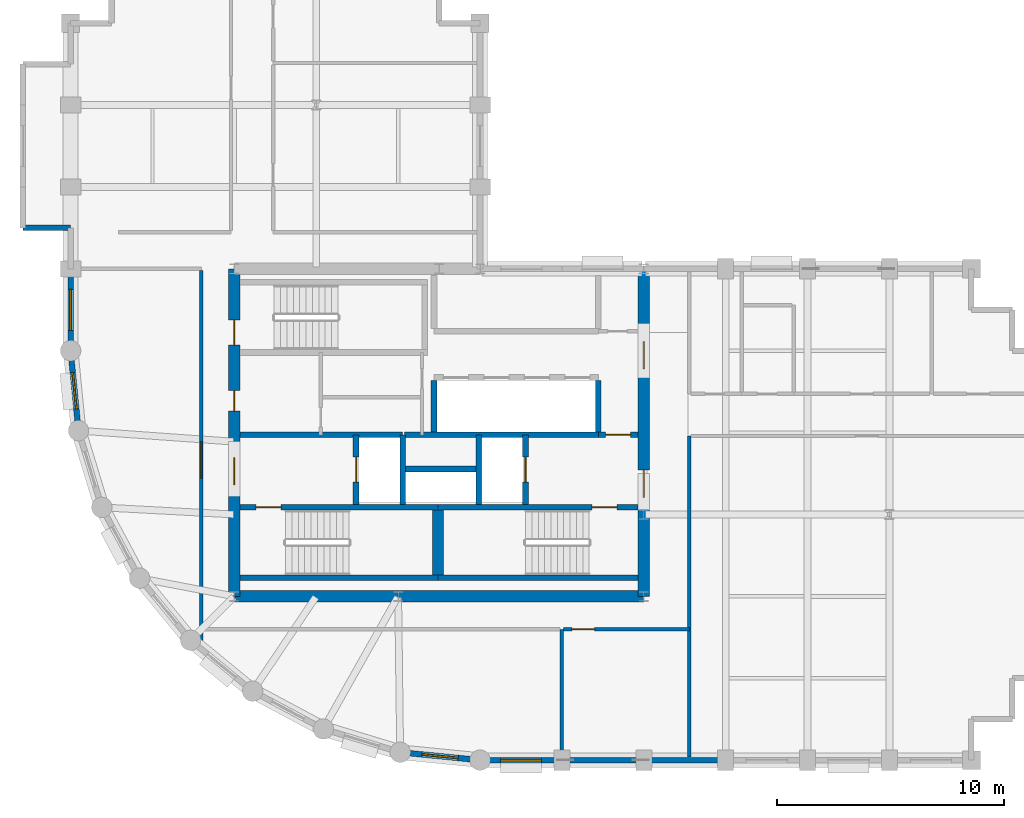
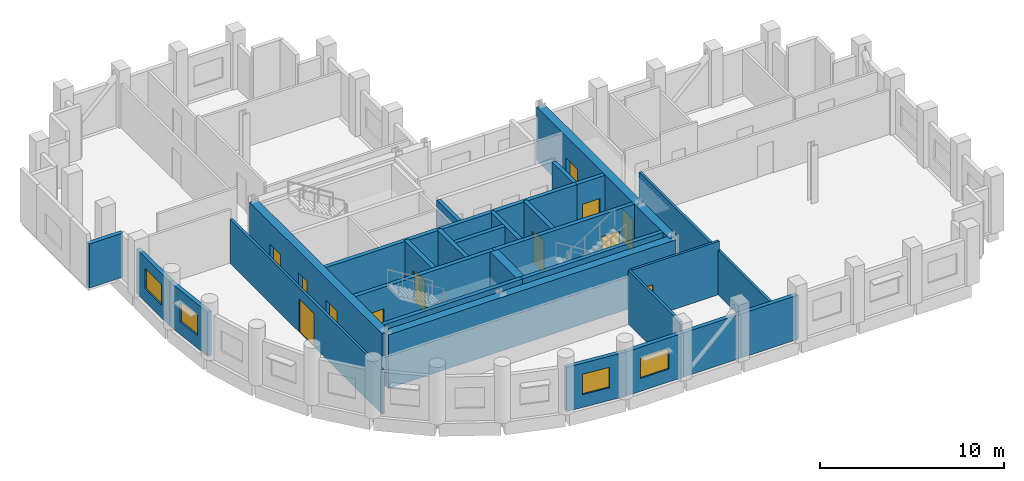
# One storey, part 3 of 8: 29 walls, 12 doors, 4 windows, 16 openings.
"""IFC4 building model written with IfcOpenShell, lengths in metres."""

from ifc_helpers import new_model, si_unit, direction, frame, frame_2d, origin, place, context, subcontext, project, spatial, rectangle, extrude, material, layer, layer_set, type_object, element, fill, save


model = new_model("IFC4")

# Units and contexts
model_context = context("Model", 3, precision=1e-05, world=origin(), true_north=direction((0.0, 1.0)))
body_context = subcontext(model_context, "Body", "Model", "MODEL_VIEW")
ifc_project = project(units=[si_unit("LENGTHUNIT", "METRE"), si_unit("AREAUNIT", "SQUARE_METRE"), si_unit("VOLUMEUNIT", "CUBIC_METRE"), si_unit("PLANEANGLEUNIT", "RADIAN"), si_unit("MASSUNIT", "GRAM", prefix="KILO")], contexts=[model_context])

# Site, building, storey
site_placement = place(None, origin())
site = spatial("IfcSite", under=ifc_project, at=site_placement, CompositionType="ELEMENT")
building_placement = place(site_placement, origin())
building = spatial("IfcBuilding", under=site, at=building_placement, Name="Solnavia Interchange Tower", CompositionType="ELEMENT")
storey_placement = place(building_placement, frame((0.0, 0.0, 197.60009765625)))
storey = spatial("IfcBuildingStorey", under=building, at=storey_placement, Name="L49", CompositionType="ELEMENT", Elevation=197.60009765625)

# Wall, opening, window
ifc_material_1 = material(Name="Concrete C40/50", Category="concrete")
ifc_layer_1 = layer(ifc_material_1, 0.25)
ifc_layer_set_1 = layer_set([ifc_layer_1], Name="Concrete C40/50")
wall_type_1 = type_object("IfcWallType", Name="Wall-ExtSpandrel-250", PredefinedType="STANDARD", material=ifc_layer_set_1)
wall_1_placement = place(storey_placement, frame((28.800048828125, 3.60009765625, 0.0), z_axis=(0.0, 0.0, 1.0), x_axis=(-1.0, 0.0, 0.0)))
wall_1 = element("IfcWall", 1, at=wall_1_placement, inside=storey, type_object=wall_type_1, Name="EXW-L49-01 Exterior precast spandrel wall", PredefinedType="STANDARD", context=body_context, shape_type="SweptSolid", body=[
    extrude(rectangle(XDim=3.60009765625, YDim=0.25, at=frame_2d((1.800048828125, 0.0))), origin(), (0.0, 0.0, 1.0), 2.929931640625),
])
opening_1_placement = place(wall_1_placement, frame((0.89990234375, 0.0, 0.85009765625)))
opening_1 = element("IfcOpeningElement", 2, at=opening_1_placement, cuts=wall_1, Name="Opening WIN-02", PredefinedType="OPENING", context=body_context, shape_type="SweptSolid", body=[
    extrude(rectangle(XDim=1.800048828125, YDim=1.35009765625, at=frame_2d((0.89990234375, 0.675048828125))), frame((0.0, 0.135009765625, 0.0), z_axis=(0.0, -1.0, 0.0), x_axis=(1.0, 0.0, 0.0)), (0.0, 0.0, 1.0), 0.27001953125),
])
ifc_material_2 = material(Name="Thermal-Break Aluminium & Low-E Glass", Category="aluminium")
window_type_1 = type_object("IfcWindowType", Name="Window-Ribbon-1800x1350", PartitioningType="SINGLE_PANEL", PredefinedType="WINDOW", material=ifc_material_2)
window_1_placement = place(opening_1_placement, origin())
window_1 = element("IfcWindow", 3, at=window_1_placement, inside=storey, type_object=window_type_1, Name="WIN-L49-01 Facade ribbon window", OverallHeight=1.35009765625, OverallWidth=1.800048828125, PartitioningType="SINGLE_PANEL", PredefinedType="WINDOW", context=body_context, shape_type="SweptSolid", body=[
    extrude(rectangle(XDim=1.800048828125, YDim=1.35009765625, at=frame_2d((0.89990234375, 0.675048828125))), frame((0.0, 0.030029296875, 0.0), z_axis=(0.0, -1.0, 0.0), x_axis=(1.0, 0.0, 0.0)), (0.0, 0.0, 1.0), 0.06005859375),
])
fill(opening_1, window_1)

# Walls
wall_2_placement = place(storey_placement, frame((32.39990234375, 3.60009765625, 0.0), z_axis=(0.0, 0.0, 1.0), x_axis=(-1.0, 0.0, 0.0)))
element("IfcWall", 4, at=wall_2_placement, inside=storey, type_object=wall_type_1, Name="EXW-L49-02 Exterior precast spandrel wall", PredefinedType="STANDARD", context=body_context, shape_type="SweptSolid", body=[
    extrude(rectangle(XDim=3.599853515625, YDim=0.25, at=frame_2d((1.7998046875, 0.0))), origin(), (0.0, 0.0, 1.0), 2.929931640625),
])
wall_3_placement = place(storey_placement, frame((36.0, 3.60009765625, 0.0), z_axis=(0.0, 0.0, 1.0), x_axis=(-1.0, 0.0, 0.0)))
element("IfcWall", 5, at=wall_3_placement, inside=storey, type_object=wall_type_1, Name="EXW-L49-03 Exterior precast spandrel wall", PredefinedType="STANDARD", context=body_context, shape_type="SweptSolid", body=[
    extrude(rectangle(XDim=3.60009765625, YDim=0.25, at=frame_2d((1.800048828125, 0.0))), origin(), (0.0, 0.0, 1.0), 2.929931640625),
])
wall_4_placement = place(storey_placement, frame((5.10009765625, 27.0, 0.0), z_axis=(0.0, 0.0, 1.0), x_axis=(1.0, 0.0, 0.0)))
element("IfcWall", 6, at=wall_4_placement, inside=storey, type_object=wall_type_1, Name="EXW-L49-44 Exterior precast spandrel wall", PredefinedType="STANDARD", context=body_context, shape_type="SweptSolid", body=[
    extrude(rectangle(XDim=2.099853515625, YDim=0.25, at=frame_2d((1.0498046875, 0.0))), origin(), (0.0, 0.0, 1.0), 2.929931640625),
])

# Wall, opening, window
wall_5_placement = place(storey_placement, frame((7.199951171875, 21.60009765625, 0.0), z_axis=(0.0, 0.0, 1.0), x_axis=(0.0, 1.0, 0.0)))
wall_5 = element("IfcWall", 7, at=wall_5_placement, inside=storey, type_object=wall_type_1, Name="EXW-L49-46 Exterior precast spandrel wall", PredefinedType="STANDARD", context=body_context, shape_type="SweptSolid", body=[
    extrude(rectangle(XDim=3.599853515625, YDim=0.25, at=frame_2d((1.7998046875, 0.0))), origin(), (0.0, 0.0, 1.0), 2.929931640625),
])
opening_2_placement = place(wall_5_placement, frame((0.89990234375, 0.0, 0.85009765625)))
opening_2 = element("IfcOpeningElement", 8, at=opening_2_placement, cuts=wall_5, Name="Opening WIN-02", PredefinedType="OPENING", context=body_context, shape_type="SweptSolid", body=[
    extrude(rectangle(XDim=1.800048828125, YDim=1.35009765625, at=frame_2d((0.89990234375, 0.675048828125))), frame((0.0, 0.135009765625, 0.0), z_axis=(0.0, -1.0, 0.0), x_axis=(1.0, 0.0, 0.0)), (0.0, 0.0, 1.0), 0.27001953125),
])
window_2_placement = place(opening_2_placement, origin())
window_2 = element("IfcWindow", 9, at=window_2_placement, inside=storey, type_object=window_type_1, Name="WIN-L49-46 Facade ribbon window", OverallHeight=1.35009765625, OverallWidth=1.800048828125, PartitioningType="SINGLE_PANEL", PredefinedType="WINDOW", context=body_context, shape_type="SweptSolid", body=[
    extrude(rectangle(XDim=1.800048828125, YDim=1.35009765625, at=frame_2d((0.89990234375, 0.675048828125))), frame((0.0, 0.030029296875, 0.0), z_axis=(0.0, -1.0, 0.0), x_axis=(1.0, 0.0, 0.0)), (0.0, 0.0, 1.0), 0.06005859375),
])
fill(opening_2, window_2)

wall_6_placement = place(storey_placement, frame((7.5458984375, 18.087890625, 0.0), z_axis=(0.0, 0.0, 1.0), x_axis=(-0.09802417461, 0.995184033831, 0.0)))
wall_6 = element("IfcWall", 10, at=wall_6_placement, inside=storey, type_object=wall_type_1, Name="EXW-L49-47 Exterior precast spandrel wall", PredefinedType="STANDARD", context=body_context, shape_type="SweptSolid", body=[
    extrude(rectangle(XDim=3.529296875, YDim=0.25, at=frame_2d((1.7646484375, 0.0))), origin(), (0.0, 0.0, 1.0), 2.929931640625),
])
opening_3_placement = place(wall_6_placement, frame((0.965087890625, 0.0, 0.85009765625)))
opening_3 = element("IfcOpeningElement", 11, at=opening_3_placement, cuts=wall_6, Name="Opening WIN-04", PredefinedType="OPENING", context=body_context, shape_type="SweptSolid", body=[
    extrude(rectangle(XDim=1.60009765625, YDim=1.35009765625, at=frame_2d((0.800048828125, 0.675048828125))), frame((0.0, 0.135009765625, 0.0), z_axis=(0.0, -1.0, 0.0), x_axis=(1.0, 0.0, 0.0)), (0.0, 0.0, 1.0), 0.27001953125),
])
window_type_2 = type_object("IfcWindowType", Name="Window-Drum-1600x1350", PartitioningType="SINGLE_PANEL", PredefinedType="WINDOW", material=ifc_material_2)
window_3_placement = place(opening_3_placement, origin())
window_3 = element("IfcWindow", 12, at=window_3_placement, inside=storey, type_object=window_type_2, Name="WIN-L49-47 Facade ribbon window", OverallHeight=1.35009765625, OverallWidth=1.60009765625, PartitioningType="SINGLE_PANEL", PredefinedType="WINDOW", context=body_context, shape_type="SweptSolid", body=[
    extrude(rectangle(XDim=1.60009765625, YDim=1.35009765625, at=frame_2d((0.800048828125, 0.675048828125))), frame((0.0, 0.030029296875, 0.0), z_axis=(0.0, -1.0, 0.0), x_axis=(1.0, 0.0, 0.0)), (0.0, 0.0, 1.0), 0.06005859375),
])
fill(opening_3, window_3)

wall_7_placement = place(storey_placement, frame((25.199951171875, 3.60009765625, 0.0), z_axis=(0.0, 0.0, 1.0), x_axis=(-0.995183369056, 0.098030923459, 0.0)))
wall_7 = element("IfcWall", 13, at=wall_7_placement, inside=storey, type_object=wall_type_1, Name="EXW-L49-54 Exterior precast spandrel wall", PredefinedType="STANDARD", context=body_context, shape_type="SweptSolid", body=[
    extrude(rectangle(XDim=3.529052734375, YDim=0.25, at=frame_2d((1.7646484375, 0.0))), origin(), (0.0, 0.0, 1.0), 2.929931640625),
])
opening_4_placement = place(wall_7_placement, frame((0.965087890625, 0.0, 0.85009765625)))
opening_4 = element("IfcOpeningElement", 14, at=opening_4_placement, cuts=wall_7, Name="Opening WIN-04", PredefinedType="OPENING", context=body_context, shape_type="SweptSolid", body=[
    extrude(rectangle(XDim=1.60009765625, YDim=1.35009765625, at=frame_2d((0.800048828125, 0.675048828125))), frame((0.0, 0.135009765625, 0.0), z_axis=(0.0, -1.0, 0.0), x_axis=(1.0, 0.0, 0.0)), (0.0, 0.0, 1.0), 0.27001953125),
])
window_4_placement = place(opening_4_placement, origin())
window_4 = element("IfcWindow", 15, at=window_4_placement, inside=storey, type_object=window_type_2, Name="WIN-L49-54 Facade ribbon window", OverallHeight=1.35009765625, OverallWidth=1.60009765625, PartitioningType="SINGLE_PANEL", PredefinedType="WINDOW", context=body_context, shape_type="SweptSolid", body=[
    extrude(rectangle(XDim=1.60009765625, YDim=1.35009765625, at=frame_2d((0.800048828125, 0.675048828125))), frame((0.0, 0.030029296875, 0.0), z_axis=(0.0, -1.0, 0.0), x_axis=(1.0, 0.0, 0.0)), (0.0, 0.0, 1.0), 0.06005859375),
])
fill(opening_4, window_4)

# Wall
ifc_material_3 = material(Name="Gypsum Plasterboard & Steel Stud", Category="steel")
ifc_layer_2 = layer(ifc_material_3, 0.14990234375)
ifc_layer_set_2 = layer_set([ifc_layer_2], Name="Gypsum Plasterboard & Steel Stud")
wall_type_2 = type_object("IfcWallType", Name="Wall-Partition-150", PredefinedType="PARTITIONING", material=ifc_layer_set_2)
wall_8_placement = place(storey_placement, frame((28.800048828125, 9.35009765625, 0.0), z_axis=(0.0, 0.0, 1.0), x_axis=(0.0, -1.0, 0.0)))
element("IfcWall", 16, at=wall_8_placement, inside=storey, type_object=wall_type_2, Name="PTW-L49-08 Interior partition wall", PredefinedType="PARTITIONING", context=body_context, shape_type="SweptSolid", body=[
    extrude(rectangle(XDim=5.62109375, YDim=0.14990234375, at=frame_2d((2.810546875, 0.0))), origin(), (0.0, 0.0, 1.0), 3.534912109375),
])

# Wall, opening, door
wall_9_placement = place(storey_placement, frame((12.949951171875, 8.60888671875, 0.0), z_axis=(0.0, 0.0, 1.0), x_axis=(0.0, 1.0, 0.0)))
wall_9 = element("IfcWall", 17, at=wall_9_placement, inside=storey, type_object=wall_type_2, Name="PTW-L49-09 Interior partition wall", PredefinedType="PARTITIONING", context=body_context, shape_type="SweptSolid", body=[
    extrude(rectangle(XDim=16.51220703125, YDim=0.14990234375, at=frame_2d((8.256103515625, 0.0))), origin(), (0.0, 0.0, 1.0), 2.929931640625),
])
opening_5_placement = place(wall_9_placement, frame((7.39111328125, 0.0, 0.0)))
opening_5 = element("IfcOpeningElement", 18, at=opening_5_placement, cuts=wall_9, Name="Opening DR-08", PredefinedType="OPENING", context=body_context, shape_type="SweptSolid", body=[
    extrude(rectangle(XDim=1.60009765625, YDim=2.199951171875, at=frame_2d((0.800048828125, 1.10009765625))), frame((0.0, 0.0849609375, 0.0), z_axis=(0.0, -1.0, 0.0), x_axis=(1.0, 0.0, 0.0)), (0.0, 0.0, 1.0), 0.169921875),
])
ifc_material_4 = material(Name="Thermally Broken Aluminium & Toughened Glass", Category="aluminium")
door_type_1 = type_object("IfcDoorType", Name="Door-RetailDouble-1600x2200", OperationType="DOUBLE_DOOR_SINGLE_SWING", PredefinedType="DOOR", material=ifc_material_4)
door_1_placement = place(opening_5_placement, origin())
door_1 = element("IfcDoor", 19, at=door_1_placement, inside=storey, type_object=door_type_1, Name="DR-L49-03 Interior room door", OperationType="DOUBLE_DOOR_SINGLE_SWING", OverallHeight=2.199951171875, OverallWidth=1.60009765625, PredefinedType="DOOR", context=body_context, shape_type="SweptSolid", body=[
    extrude(rectangle(XDim=1.60009765625, YDim=2.199951171875, at=frame_2d((0.800048828125, 1.10009765625))), frame((0.0, 0.02490234375, 0.0), z_axis=(0.0, -1.0, 0.0), x_axis=(1.0, 0.0, 0.0)), (0.0, 0.0, 1.0), 0.050048828125),
])
fill(opening_5, door_1)

wall_10_placement = place(storey_placement, frame((28.87890625, 9.35009765625, 0.0), z_axis=(0.0, 0.0, 1.0), x_axis=(1.0, 0.0, 0.0)))
wall_10 = element("IfcWall", 20, at=wall_10_placement, inside=storey, type_object=wall_type_2, Name="PTW-L49-11 Interior partition wall", PredefinedType="PARTITIONING", context=body_context, shape_type="SweptSolid", body=[
    extrude(rectangle(XDim=5.52099609375, YDim=0.14990234375, at=frame_2d((2.760498046875, 0.0))), origin(), (0.0, 0.0, 1.0), 3.534912109375),
])
opening_6_placement = place(wall_10_placement, frame((0.360107421875, 0.0, 0.0)))
opening_6 = element("IfcOpeningElement", 21, at=opening_6_placement, cuts=wall_10, Name="Opening DR-07", PredefinedType="OPENING", context=body_context, shape_type="SweptSolid", body=[
    extrude(rectangle(XDim=1.0, YDim=2.10009765625, at=frame_2d((0.5, 1.050048828125))), frame((0.0, 0.0849609375, 0.0), z_axis=(0.0, -1.0, 0.0), x_axis=(1.0, 0.0, 0.0)), (0.0, 0.0, 1.0), 0.169921875),
])
ifc_material_5 = material(Name="Timber & Acoustic Glazed Office Door", Category="wood")
door_type_2 = type_object("IfcDoorType", Name="Door-Office-1000x2100", OperationType="SINGLE_SWING_RIGHT", PredefinedType="DOOR", material=ifc_material_5)
door_2_placement = place(opening_6_placement, origin())
door_2 = element("IfcDoor", 22, at=door_2_placement, inside=storey, type_object=door_type_2, Name="DR-L49-04 Interior room door", OperationType="SINGLE_SWING_LEFT", OverallHeight=2.10009765625, OverallWidth=1.0, PredefinedType="DOOR", context=body_context, shape_type="SweptSolid", body=[
    extrude(rectangle(XDim=1.0, YDim=2.10009765625, at=frame_2d((0.5, 1.050048828125))), frame((0.0, 0.02490234375, 0.0), z_axis=(0.0, -1.0, 0.0), x_axis=(1.0, 0.0, 0.0)), (0.0, 0.0, 1.0), 0.050048828125),
])
fill(opening_6, door_2)

# Walls
wall_11_placement = place(storey_placement, frame((34.39990234375, 3.72900390625, 0.0), z_axis=(0.0, 0.0, 1.0), x_axis=(0.0, 1.0, 0.0)))
element("IfcWall", 23, at=wall_11_placement, inside=storey, type_object=wall_type_2, Name="PTW-L49-12 Interior partition wall", PredefinedType="PARTITIONING", context=body_context, shape_type="SweptSolid", body=[
    extrude(rectangle(XDim=14.12109375, YDim=0.14990234375, at=frame_2d((7.060546875, 0.0))), origin(), (0.0, 0.0, 1.0), 2.929931640625),
])
ifc_layer_3 = layer(ifc_material_1, 0.25)
ifc_layer_set_3 = layer_set([ifc_layer_3], Name="Concrete C40/50")
wall_type_3 = type_object("IfcWallType", Name="Wall-ShaftCore-250", PredefinedType="SHEAR", material=ifc_layer_set_3)
wall_12_placement = place(storey_placement, frame((14.64990234375, 11.625, 0.0), z_axis=(0.0, 0.0, 1.0), x_axis=(1.0, 0.0, 0.0)))
element("IfcWall", 24, at=wall_12_placement, inside=storey, type_object=wall_type_3, Name="SHW-L49-ST1S Core shear wall", PredefinedType="SHEAR", context=body_context, shape_type="SweptSolid", body=[
    extrude(rectangle(XDim=8.7001953125, YDim=0.25, at=frame_2d((4.35009765625, 0.0))), origin(), (0.0, 0.0, 1.0), 3.5498046875),
])

# Wall, opening, door
wall_13_placement = place(storey_placement, frame((14.64990234375, 14.715087890625, 0.0), z_axis=(0.0, 0.0, 1.0), x_axis=(1.0, 0.0, 0.0)))
wall_13 = element("IfcWall", 25, at=wall_13_placement, inside=storey, type_object=wall_type_3, Name="SHW-L49-ST1N Core shear wall", PredefinedType="SHEAR", context=body_context, shape_type="SweptSolid", body=[
    extrude(rectangle(XDim=8.7001953125, YDim=0.25, at=frame_2d((4.35009765625, 0.0))), origin(), (0.0, 0.0, 1.0), 3.5498046875),
])
opening_7_placement = place(wall_13_placement, frame((0.705078125, 0.0, 0.0)))
opening_7 = element("IfcOpeningElement", 26, at=opening_7_placement, cuts=wall_13, Name="Opening DR-01", PredefinedType="OPENING", context=body_context, shape_type="SweptSolid", body=[
    extrude(rectangle(XDim=1.10009765625, YDim=2.10009765625, at=frame_2d((0.550048828125, 1.050048828125))), frame((0.0, 0.135009765625, 0.0), z_axis=(0.0, -1.0, 0.0), x_axis=(1.0, 0.0, 0.0)), (0.0, 0.0, 1.0), 0.27001953125),
])
ifc_material_6 = material(Name="Steel Fire-Rated Leaf & Frame", Category="steel")
door_type_3 = type_object("IfcDoorType", Name="Door-StairFire-1100x2100", OperationType="SINGLE_SWING_LEFT", PredefinedType="DOOR", material=ifc_material_6)
door_3_placement = place(opening_7_placement, origin())
door_3 = element("IfcDoor", 27, at=door_3_placement, inside=storey, type_object=door_type_3, Name="DR-L49-ST1 Core fire door", OperationType="SINGLE_SWING_LEFT", OverallHeight=2.10009765625, OverallWidth=1.10009765625, PredefinedType="DOOR", context=body_context, shape_type="SweptSolid", body=[
    extrude(rectangle(XDim=1.10009765625, YDim=2.10009765625, at=frame_2d((0.550048828125, 1.050048828125))), frame((0.0, 0.02490234375, 0.0), z_axis=(0.0, -1.0, 0.0), x_axis=(1.0, 0.0, 0.0)), (0.0, 0.0, 1.0), 0.050048828125),
])
fill(opening_7, door_3)

# Wall
wall_14_placement = place(storey_placement, frame((23.35009765625, 11.625, 0.0), z_axis=(0.0, 0.0, 1.0), x_axis=(1.0, 0.0, 0.0)))
element("IfcWall", 28, at=wall_14_placement, inside=storey, type_object=wall_type_3, Name="SHW-L49-ST2S Core shear wall", PredefinedType="SHEAR", context=body_context, shape_type="SweptSolid", body=[
    extrude(rectangle(XDim=8.7998046875, YDim=0.25, at=frame_2d((4.39990234375, 0.0))), origin(), (0.0, 0.0, 1.0), 3.5498046875),
])

# Wall, opening, door
wall_15_placement = place(storey_placement, frame((23.35009765625, 14.715087890625, 0.0), z_axis=(0.0, 0.0, 1.0), x_axis=(1.0, 0.0, 0.0)))
wall_15 = element("IfcWall", 29, at=wall_15_placement, inside=storey, type_object=wall_type_3, Name="SHW-L49-ST2N Core shear wall", PredefinedType="SHEAR", context=body_context, shape_type="SweptSolid", body=[
    extrude(rectangle(XDim=8.7998046875, YDim=0.25, at=frame_2d((4.39990234375, 0.0))), origin(), (0.0, 0.0, 1.0), 3.5498046875),
])
opening_8_placement = place(wall_15_placement, frame((6.77490234375, 0.0, 0.0)))
opening_8 = element("IfcOpeningElement", 30, at=opening_8_placement, cuts=wall_15, Name="Opening DR-01", PredefinedType="OPENING", context=body_context, shape_type="SweptSolid", body=[
    extrude(rectangle(XDim=1.10009765625, YDim=2.10009765625, at=frame_2d((0.550048828125, 1.050048828125))), frame((0.0, 0.135009765625, 0.0), z_axis=(0.0, -1.0, 0.0), x_axis=(1.0, 0.0, 0.0)), (0.0, 0.0, 1.0), 0.27001953125),
])
door_4_placement = place(opening_8_placement, origin())
door_4 = element("IfcDoor", 31, at=door_4_placement, inside=storey, type_object=door_type_3, Name="DR-L49-ST2 Core fire door", OperationType="SINGLE_SWING_LEFT", OverallHeight=2.10009765625, OverallWidth=1.10009765625, PredefinedType="DOOR", context=body_context, shape_type="SweptSolid", body=[
    extrude(rectangle(XDim=1.10009765625, YDim=2.10009765625, at=frame_2d((0.550048828125, 1.050048828125))), frame((0.0, 0.02490234375, 0.0), z_axis=(0.0, -1.0, 0.0), x_axis=(1.0, 0.0, 0.0)), (0.0, 0.0, 1.0), 0.050048828125),
])
fill(opening_8, door_4)

# Wall
ifc_layer_4 = layer(ifc_material_1, 0.25)
ifc_layer_set_4 = layer_set([ifc_layer_4], Name="Concrete C40/50")
wall_type_4 = type_object("IfcWallType", Name="Wall-ShaftPart-250", PredefinedType="PARTITIONING", material=ifc_layer_set_4)
wall_16_placement = place(storey_placement, frame((14.64990234375, 17.89990234375, 0.0), z_axis=(0.0, 0.0, 1.0), x_axis=(1.0, 0.0, 0.0)))
element("IfcWall", 32, at=wall_16_placement, inside=storey, type_object=wall_type_4, Name="SHW-L49-FFLW-N Core shaft wall", PredefinedType="PARTITIONING", context=body_context, shape_type="SweptSolid", body=[
    extrude(rectangle(XDim=7.150146484375, YDim=0.25, at=frame_2d((3.5751953125, 0.0))), origin(), (0.0, 0.0, 1.0), 3.534912109375),
])

# Wall, opening, door
wall_17_placement = place(storey_placement, frame((19.75, 14.840087890625, 0.0), z_axis=(0.0, 0.0, 1.0), x_axis=(0.0, 1.0, 0.0)))
wall_17 = element("IfcWall", 33, at=wall_17_placement, inside=storey, type_object=wall_type_4, Name="SHW-L49-FFL1-W Core shaft wall", PredefinedType="PARTITIONING", context=body_context, shape_type="SweptSolid", body=[
    extrude(rectangle(XDim=3.059814453125, YDim=0.25, at=frame_2d((1.52978515625, 0.0))), origin(), (0.0, 0.0, 1.0), 3.534912109375),
])
opening_9_placement = place(wall_17_placement, frame((0.97998046875, 0.0, 0.0)))
opening_9 = element("IfcOpeningElement", 34, at=opening_9_placement, cuts=wall_17, Name="Opening LD-01", PredefinedType="OPENING", context=body_context, shape_type="SweptSolid", body=[
    extrude(rectangle(XDim=1.10009765625, YDim=2.10009765625, at=frame_2d((0.550048828125, 1.050048828125))), frame((0.0, 0.135009765625, 0.0), z_axis=(0.0, -1.0, 0.0), x_axis=(1.0, 0.0, 0.0)), (0.0, 0.0, 1.0), 0.27001953125),
])
ifc_material_7 = material(Name="Brushed Stainless Steel Sliding Door", Category="steel")
door_type_4 = type_object("IfcDoorType", Name="Door-LiftLanding-1100x2100", OperationType="SLIDING_TO_LEFT", PredefinedType="DOOR", material=ifc_material_7)
door_5_placement = place(opening_9_placement, origin())
door_5 = element("IfcDoor", 35, at=door_5_placement, inside=storey, type_object=door_type_4, Name="LD-L49-FFL1 Lift landing sliding door", OperationType="SLIDING_TO_LEFT", OverallHeight=2.10009765625, OverallWidth=1.10009765625, PredefinedType="DOOR", context=body_context, shape_type="SweptSolid", body=[
    extrude(rectangle(XDim=1.10009765625, YDim=2.10009765625, at=frame_2d((0.550048828125, 1.050048828125))), frame((0.0, 0.02490234375, 0.0), z_axis=(0.0, -1.0, 0.0), x_axis=(1.0, 0.0, 0.0)), (0.0, 0.0, 1.0), 0.050048828125),
])
fill(opening_9, door_5)

# Walls
wall_18_placement = place(storey_placement, frame((21.800048828125, 14.840087890625, 0.0), z_axis=(0.0, 0.0, 1.0), x_axis=(0.0, 1.0, 0.0)))
element("IfcWall", 36, at=wall_18_placement, inside=storey, type_object=wall_type_4, Name="SHW-L49-FFL1-E Core shaft wall", PredefinedType="PARTITIONING", context=body_context, shape_type="SweptSolid", body=[
    extrude(rectangle(XDim=3.059814453125, YDim=0.25, at=frame_2d((1.52978515625, 0.0))), origin(), (0.0, 0.0, 1.0), 3.534912109375),
])
wall_19_placement = place(storey_placement, frame((21.8798828125, 17.89990234375, 0.0), z_axis=(0.0, 0.0, 1.0), x_axis=(1.0, 0.0, 0.0)))
element("IfcWall", 37, at=wall_19_placement, inside=storey, type_object=wall_type_4, Name="SHW-L49-FFLE-N1 Core shaft wall", PredefinedType="PARTITIONING", context=body_context, shape_type="SweptSolid", body=[
    extrude(rectangle(XDim=8.52001953125, YDim=0.25, at=frame_2d((4.260009765625, 0.0))), origin(), (0.0, 0.0, 1.0), 3.534912109375),
])

# Wall, opening, door
wall_20_placement = place(storey_placement, frame((30.39990234375, 17.89990234375, 0.0), z_axis=(0.0, 0.0, 1.0), x_axis=(1.0, 0.0, 0.0)))
wall_20 = element("IfcWall", 38, at=wall_20_placement, inside=storey, type_object=wall_type_4, Name="SHW-L49-FFLE-N2 Core shaft wall", PredefinedType="PARTITIONING", context=body_context, shape_type="SweptSolid", body=[
    extrude(rectangle(XDim=1.75, YDim=0.25, at=frame_2d((0.875, 0.0))), origin(), (0.0, 0.0, 1.0), 3.534912109375),
])
opening_10_placement = place(wall_20_placement, frame((0.320068359375, 0.0, 0.0)))
opening_10 = element("IfcOpeningElement", 39, at=opening_10_placement, cuts=wall_20, Name="Opening DR-01", PredefinedType="OPENING", context=body_context, shape_type="SweptSolid", body=[
    extrude(rectangle(XDim=1.10009765625, YDim=2.10009765625, at=frame_2d((0.550048828125, 1.050048828125))), frame((0.0, 0.135009765625, 0.0), z_axis=(0.0, -1.0, 0.0), x_axis=(1.0, 0.0, 0.0)), (0.0, 0.0, 1.0), 0.27001953125),
])
door_6_placement = place(opening_10_placement, origin())
door_6 = element("IfcDoor", 40, at=door_6_placement, inside=storey, type_object=door_type_3, Name="DR-L49-LLC Core fire door", OperationType="SINGLE_SWING_LEFT", OverallHeight=2.10009765625, OverallWidth=1.10009765625, PredefinedType="DOOR", context=body_context, shape_type="SweptSolid", body=[
    extrude(rectangle(XDim=1.10009765625, YDim=2.10009765625, at=frame_2d((0.550048828125, 1.050048828125))), frame((0.0, 0.02490234375, 0.0), z_axis=(0.0, -1.0, 0.0), x_axis=(1.0, 0.0, 0.0)), (0.0, 0.0, 1.0), 0.050048828125),
])
fill(opening_10, door_6)

# Wall
wall_21_placement = place(storey_placement, frame((25.14990234375, 14.840087890625, 0.0), z_axis=(0.0, 0.0, 1.0), x_axis=(0.0, 1.0, 0.0)))
element("IfcWall", 41, at=wall_21_placement, inside=storey, type_object=wall_type_4, Name="SHW-L49-FFL2-W Core shaft wall", PredefinedType="PARTITIONING", context=body_context, shape_type="SweptSolid", body=[
    extrude(rectangle(XDim=3.059814453125, YDim=0.25, at=frame_2d((1.52978515625, 0.0))), origin(), (0.0, 0.0, 1.0), 3.534912109375),
])

# Wall, opening, door
wall_22_placement = place(storey_placement, frame((27.199951171875, 14.840087890625, 0.0), z_axis=(0.0, 0.0, 1.0), x_axis=(0.0, 1.0, 0.0)))
wall_22 = element("IfcWall", 42, at=wall_22_placement, inside=storey, type_object=wall_type_4, Name="SHW-L49-FFL2-E Core shaft wall", PredefinedType="PARTITIONING", context=body_context, shape_type="SweptSolid", body=[
    extrude(rectangle(XDim=3.059814453125, YDim=0.25, at=frame_2d((1.52978515625, 0.0))), origin(), (0.0, 0.0, 1.0), 3.534912109375),
])
opening_11_placement = place(wall_22_placement, frame((0.97998046875, 0.0, 0.0)))
opening_11 = element("IfcOpeningElement", 43, at=opening_11_placement, cuts=wall_22, Name="Opening LD-01", PredefinedType="OPENING", context=body_context, shape_type="SweptSolid", body=[
    extrude(rectangle(XDim=1.10009765625, YDim=2.10009765625, at=frame_2d((0.550048828125, 1.050048828125))), frame((0.0, 0.135009765625, 0.0), z_axis=(0.0, -1.0, 0.0), x_axis=(1.0, 0.0, 0.0)), (0.0, 0.0, 1.0), 0.27001953125),
])
door_7_placement = place(opening_11_placement, origin())
door_7 = element("IfcDoor", 44, at=door_7_placement, inside=storey, type_object=door_type_4, Name="LD-L49-FFL2 Lift landing sliding door", OperationType="SLIDING_TO_LEFT", OverallHeight=2.10009765625, OverallWidth=1.10009765625, PredefinedType="DOOR", context=body_context, shape_type="SweptSolid", body=[
    extrude(rectangle(XDim=1.10009765625, YDim=2.10009765625, at=frame_2d((0.550048828125, 1.050048828125))), frame((0.0, 0.02490234375, 0.0), z_axis=(0.0, -1.0, 0.0), x_axis=(1.0, 0.0, 0.0)), (0.0, 0.0, 1.0), 0.050048828125),
])
fill(opening_11, door_7)

# Walls
wall_23_placement = place(storey_placement, frame((21.800048828125, 16.39990234375, 0.0), z_axis=(0.0, 0.0, 1.0), x_axis=(1.0, 0.0, 0.0)))
element("IfcWall", 45, at=wall_23_placement, inside=storey, type_object=wall_type_4, Name="SHW-L49-MEP-N Core shaft wall", PredefinedType="PARTITIONING", context=body_context, shape_type="SweptSolid", body=[
    extrude(rectangle(XDim=3.349853515625, YDim=0.25, at=frame_2d((1.6748046875, 0.0))), origin(), (0.0, 0.0, 1.0), 3.534912109375),
])
for number, where, z_axis, x_axis, name in (
    (46, (23.179931640625, 18.02490234375, 0.0), (0.0, 0.0, 1.0), (0.0, 1.0, 0.0), "SHW-L49-B2W Core shaft wall"),
    (47, (30.39990234375, 18.02490234375, 0.0), (0.0, 0.0, 1.0), (0.0, 1.0, 0.0), "SHW-L49-B2E Core shaft wall"),
):
    element("IfcWall", number, at=place(storey_placement, frame(where, z_axis=z_axis, x_axis=x_axis)), inside=storey, type_object=wall_type_4, Name=name, PredefinedType="PARTITIONING", context=body_context, shape_type="SweptSolid", body=[
        extrude(rectangle(XDim=2.27001953125, YDim=0.25, at=frame_2d((1.135009765625, 0.0))), origin(), (0.0, 0.0, 1.0), 3.534912109375),
    ])
ifc_material_8 = material(Name="Concrete C60/75", Category="concrete")
ifc_layer_5 = layer(ifc_material_8, 0.5)
ifc_layer_set_5 = layer_set([ifc_layer_5], Name="Concrete C60/75")
wall_type_5 = type_object("IfcWallType", Name="Wall-ShearCore-500", PredefinedType="SHEAR", material=ifc_layer_set_5)
wall_24_placement = place(storey_placement, frame((14.39990234375, 10.800048828125, 0.0), z_axis=(0.0, 0.0, 1.0), x_axis=(1.0, 0.0, 0.0)))
element("IfcWall", 48, at=wall_24_placement, inside=storey, type_object=wall_type_5, Name="CRW-L49-S Core shear wall", PredefinedType="SHEAR", context=body_context, shape_type="SweptSolid", body=[
    extrude(rectangle(XDim=18.0, YDim=0.5, at=frame_2d((9.0, 0.0))), origin(), (0.0, 0.0, 1.0), 3.5498046875),
])

# Wall, openings, doors
wall_25_placement = place(storey_placement, frame((14.39990234375, 10.800048828125, 0.0), z_axis=(0.0, 0.0, 1.0), x_axis=(0.0, 1.0, 0.0)))
wall_25 = element("IfcWall", 49, at=wall_25_placement, inside=storey, type_object=wall_type_5, Name="CRW-L49-W Core shear wall", PredefinedType="SHEAR", context=body_context, shape_type="SweptSolid", body=[
    extrude(rectangle(XDim=14.39990234375, YDim=0.5, at=frame_2d((7.199951171875, 0.0))), origin(), (0.0, 0.0, 1.0), 3.5498046875),
])
opening_12_placement = place(wall_25_placement, frame((11.050048828125, 0.0, 0.0)))
opening_12 = element("IfcOpeningElement", 50, at=opening_12_placement, cuts=wall_25, Name="Opening DR-01", PredefinedType="OPENING", context=body_context, shape_type="SweptSolid", body=[
    extrude(rectangle(XDim=1.10009765625, YDim=2.10009765625, at=frame_2d((0.550048828125, 1.050048828125))), frame((0.0, 0.260009765625, 0.0), z_axis=(0.0, -1.0, 0.0), x_axis=(1.0, 0.0, 0.0)), (0.0, 0.0, 1.0), 0.52001953125),
])
opening_13_placement = place(wall_25_placement, frame((4.89990234375, 0.0, 0.0)))
opening_13 = element("IfcOpeningElement", 51, at=opening_13_placement, cuts=wall_25, Name="Opening DR-02", PredefinedType="OPENING", context=body_context, shape_type="SweptSolid", body=[
    extrude(rectangle(XDim=1.199951171875, YDim=2.10009765625, at=frame_2d((0.60009765625, 1.050048828125))), frame((0.0, 0.260009765625, 0.0), z_axis=(0.0, -1.0, 0.0), x_axis=(1.0, 0.0, 0.0)), (0.0, 0.0, 1.0), 0.52001953125),
])
opening_14_placement = place(wall_25_placement, frame((8.14990234375, 0.0, 0.0)))
opening_14 = element("IfcOpeningElement", 52, at=opening_14_placement, cuts=wall_25, Name="Opening DR-09", PredefinedType="OPENING", context=body_context, shape_type="SweptSolid", body=[
    extrude(rectangle(XDim=0.89990234375, YDim=2.10009765625, at=frame_2d((0.449951171875, 1.050048828125))), frame((0.0, 0.260009765625, 0.0), z_axis=(0.0, -1.0, 0.0), x_axis=(1.0, 0.0, 0.0)), (0.0, 0.0, 1.0), 0.52001953125),
])
ifc_material_9 = material(Name="Engineered Oak Veneer Door", Category="wood")
door_type_5 = type_object("IfcDoorType", Name="Door-Internal-900x2100", OperationType="SINGLE_SWING_LEFT", PredefinedType="DOOR", material=ifc_material_9)
door_8_placement = place(opening_14_placement, origin())
door_8 = element("IfcDoor", 53, at=door_8_placement, inside=storey, type_object=door_type_5, Name="DR-L49-CS1 Core fire door", OperationType="SINGLE_SWING_RIGHT", OverallHeight=2.10009765625, OverallWidth=0.89990234375, PredefinedType="DOOR", context=body_context, shape_type="SweptSolid", body=[
    extrude(rectangle(XDim=0.89990234375, YDim=2.10009765625, at=frame_2d((0.449951171875, 1.050048828125))), frame((0.0, 0.02490234375, 0.0), z_axis=(0.0, -1.0, 0.0), x_axis=(1.0, 0.0, 0.0)), (0.0, 0.0, 1.0), 0.050048828125),
])
fill(opening_14, door_8)
ifc_material_10 = material(Name="Steel Fire-Rated Vision-Panel Door", Category="steel")
door_type_6 = type_object("IfcDoorType", Name="Door-LobbyFire-1200x2100", OperationType="SINGLE_SWING_RIGHT", PredefinedType="DOOR", material=ifc_material_10)
door_9_placement = place(opening_13_placement, origin())
door_9 = element("IfcDoor", 54, at=door_9_placement, inside=storey, type_object=door_type_6, Name="DR-L49-FFL1W Core fire door", OperationType="SINGLE_SWING_RIGHT", OverallHeight=2.10009765625, OverallWidth=1.199951171875, PredefinedType="DOOR", context=body_context, shape_type="SweptSolid", body=[
    extrude(rectangle(XDim=1.199951171875, YDim=2.10009765625, at=frame_2d((0.60009765625, 1.050048828125))), frame((0.0, 0.02490234375, 0.0), z_axis=(0.0, -1.0, 0.0), x_axis=(1.0, 0.0, 0.0)), (0.0, 0.0, 1.0), 0.050048828125),
])
fill(opening_13, door_9)
door_10_placement = place(opening_12_placement, origin())
door_10 = element("IfcDoor", 55, at=door_10_placement, inside=storey, type_object=door_type_3, Name="DR-L49-ST3 Core fire door", OperationType="SINGLE_SWING_RIGHT", OverallHeight=2.10009765625, OverallWidth=1.10009765625, PredefinedType="DOOR", context=body_context, shape_type="SweptSolid", body=[
    extrude(rectangle(XDim=1.10009765625, YDim=2.10009765625, at=frame_2d((0.550048828125, 1.050048828125))), frame((0.0, 0.02490234375, 0.0), z_axis=(0.0, -1.0, 0.0), x_axis=(1.0, 0.0, 0.0)), (0.0, 0.0, 1.0), 0.050048828125),
])
fill(opening_12, door_10)

wall_26_placement = place(storey_placement, frame((32.39990234375, 10.800048828125, 0.0), z_axis=(0.0, 0.0, 1.0), x_axis=(0.0, 1.0, 0.0)))
wall_26 = element("IfcWall", 56, at=wall_26_placement, inside=storey, type_object=wall_type_5, Name="CRW-L49-E Core shear wall", PredefinedType="SHEAR", context=body_context, shape_type="SweptSolid", body=[
    extrude(rectangle(XDim=14.39990234375, YDim=0.5, at=frame_2d((7.199951171875, 0.0))), origin(), (0.0, 0.0, 1.0), 3.5498046875),
])
opening_15_placement = place(wall_26_placement, frame((4.35009765625, 0.0, 0.0)))
opening_15 = element("IfcOpeningElement", 57, at=opening_15_placement, cuts=wall_26, Name="Opening DR-02", PredefinedType="OPENING", context=body_context, shape_type="SweptSolid", body=[
    extrude(rectangle(XDim=1.199951171875, YDim=2.10009765625, at=frame_2d((0.60009765625, 1.050048828125))), frame((0.0, 0.260009765625, 0.0), z_axis=(0.0, -1.0, 0.0), x_axis=(1.0, 0.0, 0.0)), (0.0, 0.0, 1.0), 0.52001953125),
])
opening_16_placement = place(wall_26_placement, frame((10.0, 0.0, 0.0)))
opening_16 = element("IfcOpeningElement", 58, at=opening_16_placement, cuts=wall_26, Name="Opening DR-02", PredefinedType="OPENING", context=body_context, shape_type="SweptSolid", body=[
    extrude(rectangle(XDim=1.199951171875, YDim=2.10009765625, at=frame_2d((0.60009765625, 1.050048828125))), frame((0.0, 0.260009765625, 0.0), z_axis=(0.0, -1.0, 0.0), x_axis=(1.0, 0.0, 0.0)), (0.0, 0.0, 1.0), 0.52001953125),
])
door_11_placement = place(opening_15_placement, origin())
door_11 = element("IfcDoor", 59, at=door_11_placement, inside=storey, type_object=door_type_6, Name="DR-L49-FFL2E Core fire door", OperationType="SINGLE_SWING_LEFT", OverallHeight=2.10009765625, OverallWidth=1.199951171875, PredefinedType="DOOR", context=body_context, shape_type="SweptSolid", body=[
    extrude(rectangle(XDim=1.199951171875, YDim=2.10009765625, at=frame_2d((0.60009765625, 1.050048828125))), frame((0.0, 0.02490234375, 0.0), z_axis=(0.0, -1.0, 0.0), x_axis=(1.0, 0.0, 0.0)), (0.0, 0.0, 1.0), 0.050048828125),
])
fill(opening_15, door_11)
door_12_placement = place(opening_16_placement, origin())
door_12 = element("IfcDoor", 60, at=door_12_placement, inside=storey, type_object=door_type_6, Name="DR-L49-LLE Core fire door", OperationType="SINGLE_SWING_RIGHT", OverallHeight=2.10009765625, OverallWidth=1.199951171875, PredefinedType="DOOR", context=body_context, shape_type="SweptSolid", body=[
    extrude(rectangle(XDim=1.199951171875, YDim=2.10009765625, at=frame_2d((0.60009765625, 1.050048828125))), frame((0.0, 0.02490234375, 0.0), z_axis=(0.0, -1.0, 0.0), x_axis=(1.0, 0.0, 0.0)), (0.0, 0.0, 1.0), 0.050048828125),
])
fill(opening_16, door_12)

# Wall
wall_27_placement = place(storey_placement, frame((23.35009765625, 11.75, 0.0), z_axis=(0.0, 0.0, 1.0), x_axis=(0.0, 1.0, 0.0)))
element("IfcWall", 61, at=wall_27_placement, inside=storey, type_object=wall_type_5, Name="SHW-L49-ST12M Core shear wall", PredefinedType="SHEAR", context=body_context, shape_type="SweptSolid", body=[
    extrude(rectangle(XDim=2.840087890625, YDim=0.5, at=frame_2d((1.419921875, 0.0))), origin(), (0.0, 0.0, 1.0), 3.5498046875),
])

save(model, "model.ifc")
